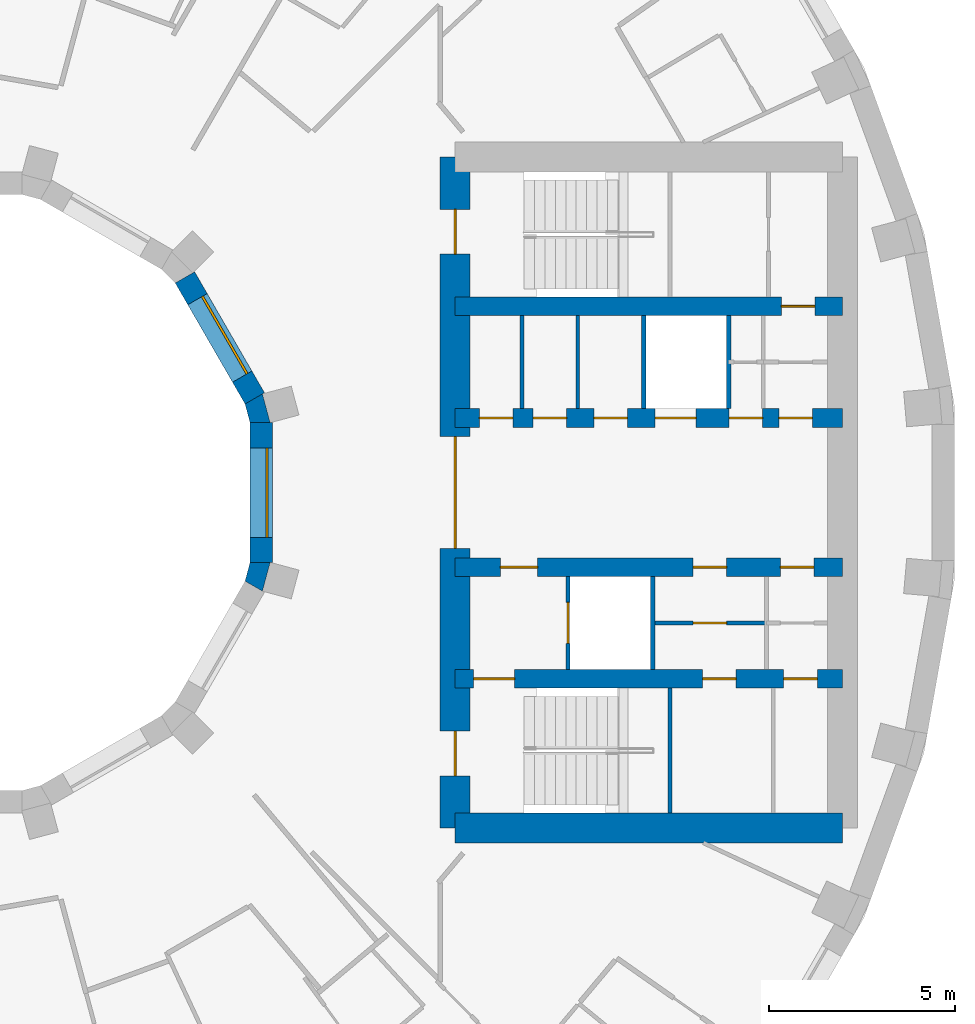
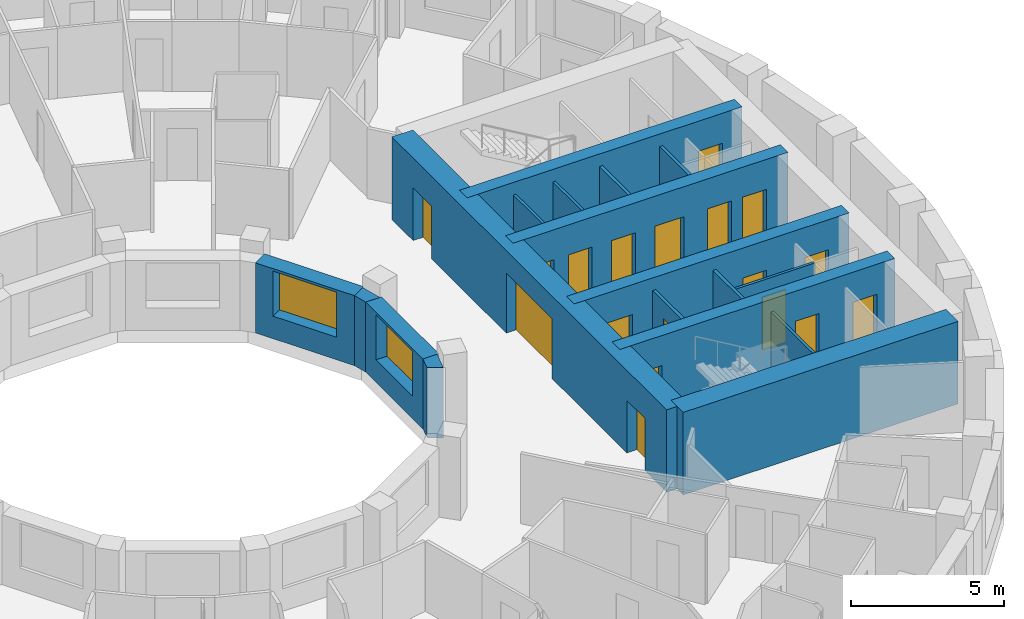
# One storey, part 9 of 16: 18 doors, 18 walls, 2 windows, 20 openings.
"""IFC4 building model written with IfcOpenShell, lengths in metres."""

import ifcopenshell
import ifcopenshell.guid

model = None  # the IFC model being written
_history = None  # IfcOwnerHistory: only IFC2X3 demands one
_inside = {}  # id of a spatial element -> (the spatial element, [elements in it])
_under = {}  # id of a project, library or spatial element -> (it, [spatial elements below it])
_declared = {}  # id of a project -> (the project, [libraries it declares])
_typed = {}  # id of a type object -> (the type object, [elements of that type])
_made_of = {}  # id of a material, layer set ... -> (it, [elements and type objects made of it])


def new_model(schema):
    """Start an empty IFC model of exactly this schema.

    Asked for "IFC4X3", IfcOpenShell would pick the latest addendum, in which some entities
    have other attributes; the version numbers below select the first issue.
    IFC2X3 requires an IfcOwnerHistory on every rooted entity: one is made here for all.
    """
    global model, _history
    if schema == "IFC4X3":
        model = ifcopenshell.file(schema_version=(4, 3, 0, 0))
    else:
        model = ifcopenshell.file(schema=schema)
    _inside.clear()
    _under.clear()
    _declared.clear()
    _typed.clear()
    _made_of.clear()
    _history = None
    if model.schema == "IFC2X3":
        org = make("IfcOrganization", Name="unknown")
        user = make(
            "IfcPersonAndOrganization",
            ThePerson=make("IfcPerson", FamilyName="unknown"),
            TheOrganization=org,
        )
        app = make(
            "IfcApplication",
            ApplicationDeveloper=org,
            Version="unknown",
            ApplicationFullName="unknown",
            ApplicationIdentifier="unknown",
        )
        _history = make(
            "IfcOwnerHistory",
            OwningUser=user,
            OwningApplication=app,
            ChangeAction="ADDED",
            CreationDate=0,
        )
    return model


def make(cls, **values):
    """One entity of the class cls with the attributes given. An attribute that is None is left unset."""
    return model.create_entity(
        cls, **{name: value for name, value in values.items() if value is not None}
    )


def rooted(cls, **values):
    """An entity with a GlobalId (a new one), such as an element, a storey or a relation."""
    return make(cls, GlobalId=ifcopenshell.guid.new(), OwnerHistory=_history, **values)


def si_unit(unit_type, name, prefix=None):
    """IfcSIUnit, for example si_unit("LENGTHUNIT", "METRE", prefix="MILLI")."""
    return make("IfcSIUnit", UnitType=unit_type, Prefix=prefix, Name=name)


def assignment(units):
    """IfcUnitAssignment: the units of a project."""
    return None if units is None else make("IfcUnitAssignment", Units=units)


def point(xyz):
    """IfcCartesianPoint."""
    return None if xyz is None else make("IfcCartesianPoint", Coordinates=xyz)


def direction(xyz):
    """IfcDirection."""
    return None if xyz is None else make("IfcDirection", DirectionRatios=xyz)


def frame(location, z_axis=None, x_axis=None):
    """IfcAxis2Placement3D, a coordinate frame: its origin and axes. An axis left out is left unset."""
    return make(
        "IfcAxis2Placement3D",
        Location=point(location),
        Axis=direction(z_axis),
        RefDirection=direction(x_axis),
    )


def frame_2d(location, x_axis=None):
    """IfcAxis2Placement2D, a coordinate frame in the plane: its origin and x axis."""
    return make(
        "IfcAxis2Placement2D", Location=point(location), RefDirection=direction(x_axis)
    )


def origin():
    """The frame at (0, 0, 0) with its axes left unset."""
    return frame((0.0, 0.0, 0.0))


def place(relative_to, where):
    """IfcLocalPlacement: puts the frame where relative to a parent placement (None: the world)."""
    return make(
        "IfcLocalPlacement", PlacementRelTo=relative_to, RelativePlacement=where
    )


def context(
    kind, dimensions, precision=None, world=None, true_north=None, identifier=None
):
    """IfcGeometricRepresentationContext, for example the 3D "Model" context."""
    return make(
        "IfcGeometricRepresentationContext",
        ContextIdentifier=identifier,
        ContextType=kind,
        CoordinateSpaceDimension=dimensions,
        Precision=precision,
        WorldCoordinateSystem=world,
        TrueNorth=true_north,
    )


def subcontext(parent, identifier, kind, view, scale=None):
    """IfcGeometricRepresentationSubContext, for example "Body" below "Model"."""
    return make(
        "IfcGeometricRepresentationSubContext",
        ContextIdentifier=identifier,
        ContextType=kind,
        ParentContext=parent,
        TargetScale=scale,
        TargetView=view,
    )


def project(units=None, contexts=None):
    """IfcProject with its units and contexts."""
    return rooted(
        "IfcProject",
        Name="project",
        RepresentationContexts=contexts,
        UnitsInContext=assignment(units),
    )


def spatial(cls, under=None, at=None, **own):
    """A site, building, storey or space (cls), placed at a placement, below another one or the project."""
    s = rooted(cls, ObjectPlacement=at, **own)
    if under is not None:
        _under.setdefault(under.id(), (under, []))[1].append(s)
    return s


def polyline(points):
    """IfcPolyline through the points."""
    return make("IfcPolyline", Points=[point(p) for p in points])


def profile(cls, at=None, kind="AREA", **sizes):
    """A parametric profile (cls). Its sizes go by their IFC names, for example OverallWidth=200.0."""
    return make(cls, ProfileType=kind, Position=at, **sizes)


def rectangle(**sizes):
    """IfcRectangleProfileDef."""
    return profile("IfcRectangleProfileDef", **sizes)


def outline(outer, holes=None, kind="AREA"):
    """IfcArbitraryClosedProfileDef: a profile drawn as a closed curve; with holes, ...WithVoids."""
    if holes is None:
        return make("IfcArbitraryClosedProfileDef", ProfileType=kind, OuterCurve=outer)
    return make(
        "IfcArbitraryProfileDefWithVoids",
        ProfileType=kind,
        OuterCurve=outer,
        InnerCurves=holes,
    )


def extrude(swept, where, along, depth):
    """IfcExtrudedAreaSolid: the profile swept, set in the frame where, extruded along a direction by depth."""
    return make(
        "IfcExtrudedAreaSolid",
        SweptArea=swept,
        Position=where,
        ExtrudedDirection=direction(along),
        Depth=depth,
    )


def shape(context_of_items, identifier, shape_type, items):
    """IfcShapeRepresentation: the items that make up one representation, for example the "Body"."""
    return make(
        "IfcShapeRepresentation",
        ContextOfItems=context_of_items,
        RepresentationIdentifier=identifier,
        RepresentationType=shape_type,
        Items=items,
    )


def material(Name=None, Category=None):
    """IfcMaterial."""
    return make("IfcMaterial", Name=Name, Category=Category)


def layer(
    of_material, thickness, ventilated=None, Name=None, Category=None, Priority=None
):
    """IfcMaterialLayer: one layer of a wall or slab, of a material (None: an air gap)."""
    return make(
        "IfcMaterialLayer",
        Material=of_material,
        LayerThickness=thickness,
        IsVentilated=ventilated,
        Name=Name,
        Category=Category,
        Priority=Priority,
    )


def layer_set(layers, Name=None):
    """IfcMaterialLayerSet."""
    return make("IfcMaterialLayerSet", MaterialLayers=layers, LayerSetName=Name)


def made_of(thing, what):
    """Note that an element or type object is made of a material, layer set ...; save() writes the relation."""
    if what is not None:
        _made_of.setdefault(what.id(), (what, []))[1].append(thing)
    return thing


def type_object(cls, material=None, **own):
    """A type object (cls), such as IfcWallType, which elements share."""
    return made_of(rooted(cls, **own), material)


def element(
    cls,
    number,
    at=None,
    inside=None,
    cuts=None,
    type_object=None,
    material=None,
    context=None,
    identifier="Body",
    shape_type=None,
    held_by="IfcProductDefinitionShape",
    body=None,
    shapes=None,
    **own,
):
    """One element of the class cls, such as IfcWall. Its Tag is "e" and its number.

    at: its placement. inside: the storey or other place that contains it. cuts: it is an
    opening in that element (IfcRelVoidsElement). A single representation is given by context,
    identifier, shape_type and body (its items); several are given by shapes. held_by: the class
    of the entity that holds the representations. save() writes the other relations.
    """
    e = rooted(cls, Tag="e%d" % number, ObjectPlacement=at, **own)
    if body is not None:
        shapes = [shape(context, identifier, shape_type, body)]
    if shapes is not None:
        e.Representation = make(held_by, Representations=shapes)
    if inside is not None:
        _inside.setdefault(inside.id(), (inside, []))[1].append(e)
    if cuts is not None:
        rooted(
            "IfcRelVoidsElement", RelatingBuildingElement=cuts, RelatedOpeningElement=e
        )
    if type_object is not None:
        _typed.setdefault(type_object.id(), (type_object, []))[1].append(e)
    return made_of(e, material)


def fill(opening, filler):
    """IfcRelFillsElement: the door or window that sits in an opening."""
    return rooted(
        "IfcRelFillsElement",
        RelatingOpeningElement=opening,
        RelatedBuildingElement=filler,
    )


def aggregate(whole, parts):
    """IfcRelAggregates: a whole, such as a stair, and the parts it consists of."""
    return rooted("IfcRelAggregates", RelatingObject=whole, RelatedObjects=parts)


def save(model, path):
    """Write the relations noted so far, then the file.

    IfcRelAggregates (storeys below a building ...), IfcRelContainedInSpatialStructure (elements
    in a storey), IfcRelDefinesByType, IfcRelAssociatesMaterial and IfcRelDeclares: one each for
    every whole, place, type object, material and project.
    """
    for whole, parts in _under.values():
        aggregate(whole, parts)
    for where, things in _inside.values():
        rooted(
            "IfcRelContainedInSpatialStructure",
            RelatedElements=things,
            RelatingStructure=where,
        )
    for kind, things in _typed.values():
        rooted("IfcRelDefinesByType", RelatedObjects=things, RelatingType=kind)
    for what, things in _made_of.values():
        rooted("IfcRelAssociatesMaterial", RelatedObjects=things, RelatingMaterial=what)
    for by, libraries in _declared.values():
        rooted("IfcRelDeclares", RelatingContext=by, RelatedDefinitions=libraries)
    model.write(path)


model = new_model("IFC4")

# Units and contexts
model_context = context("Model", 3, precision=1e-05, world=origin(), true_north=direction((0.0, 1.0)))
body_context = subcontext(model_context, "Body", "Model", "MODEL_VIEW")
ifc_project = project(units=[si_unit("LENGTHUNIT", "METRE"), si_unit("AREAUNIT", "SQUARE_METRE"), si_unit("VOLUMEUNIT", "CUBIC_METRE"), si_unit("PLANEANGLEUNIT", "RADIAN"), si_unit("MASSUNIT", "GRAM", prefix="KILO")], contexts=[model_context])

# Site, building, storey
site_placement = place(None, origin())
site = spatial("IfcSite", under=ifc_project, at=site_placement, CompositionType="ELEMENT")
building_placement = place(site_placement, origin())
building = spatial("IfcBuilding", under=site, at=building_placement, Name="Saqina Gate Tower", CompositionType="ELEMENT")
storey_placement = place(building_placement, frame((0.0, 0.0, 121.60009765625)))
storey = spatial("IfcBuildingStorey", under=building, at=storey_placement, Name="L34", CompositionType="ELEMENT", Elevation=121.60009765625)

# Walls
ifc_material_1 = material(Name="Gypsum board on steel studs", Category="steel")
ifc_layer_1 = layer(ifc_material_1, 0.10009765625)
ifc_layer_set_1 = layer_set([ifc_layer_1], Name="CORE PARTITION")
wall_type_1 = type_object("IfcWallType", Name="CORE PARTITION", PredefinedType="PARTITIONING", material=ifc_layer_set_1)
for number, where, z_axis, x_axis, name in (
    (1, (15.298095703125, 2.25, 0.0), (0.0, 0.0, 1.0), (0.0, 1.0, 0.0), "L34-CP-E01"),
    (2, (16.789306640625, 2.25, 0.0), (0.0, 0.0, 1.0), (0.0, 1.0, 0.0), "L34-CP-E02"),
):
    element("IfcWall", number, at=place(storey_placement, frame(where, z_axis=z_axis, x_axis=x_axis)), inside=storey, type_object=wall_type_1, Name=name, PredefinedType="PARTITIONING", context=body_context, shape_type="SweptSolid", body=[
        extrude(rectangle(XDim=2.5, YDim=0.10009765625, at=frame_2d((1.25, 0.0))), origin(), (0.0, 0.0, 1.0), 2.7998046875),
    ])

# Wall, opening, door
wall_1_placement = place(storey_placement, frame((18.81005859375, -3.5, 0.0), z_axis=(0.0, 0.0, 1.0), x_axis=(1.0, 0.0, 0.0)))
wall_1 = element("IfcWall", 3, at=wall_1_placement, inside=storey, type_object=wall_type_1, Name="L34-CP-E11", PredefinedType="PARTITIONING", context=body_context, shape_type="SweptSolid", body=[
    extrude(rectangle(XDim=3.04833984375, YDim=0.10009765625, at=frame_2d((1.524169921875, 0.0))), origin(), (0.0, 0.0, 1.0), 2.7998046875),
])
opening_1_placement = place(wall_1_placement, frame((1.07421875, 0.0, 0.0)))
opening_1 = element("IfcOpeningElement", 4, at=opening_1_placement, cuts=wall_1, Name="Opening G10-D103", PredefinedType="OPENING", context=body_context, shape_type="SweptSolid", body=[
    extrude(rectangle(XDim=0.89990234375, YDim=2.10009765625, at=frame_2d((0.449951171875, 1.050048828125))), frame((0.0, 0.06201171875, 0.0), z_axis=(0.0, -1.0, 0.0), x_axis=(1.0, 0.0, 0.0)), (0.0, 0.0, 1.0), 0.1240234375),
])
ifc_material_2 = material(Name="Steel-framed fire door leaf, EI 60", Category="steel")
door_type_1 = type_object("IfcDoorType", Name="SERVICE ROOM DOOR 900", OperationType="SINGLE_SWING_LEFT", PredefinedType="DOOR", material=ifc_material_2)
door_1_placement = place(opening_1_placement, frame((0.89990234375, 0.0, 0.0), z_axis=(0.0, 0.0, 1.0), x_axis=(-1.0, 0.0, 0.0)))
door_1 = element("IfcDoor", 5, at=door_1_placement, inside=storey, type_object=door_type_1, Name="L34-CD-E14", OperationType="SINGLE_SWING_RIGHT", OverallHeight=2.10009765625, OverallWidth=0.89990234375, PredefinedType="DOOR", context=body_context, shape_type="SweptSolid", body=[
    extrude(rectangle(XDim=0.89990234375, YDim=2.10009765625, at=frame_2d((0.449951171875, 1.050048828125))), frame((0.0, 0.02490234375, 0.0), z_axis=(0.0, -1.0, 0.0), x_axis=(1.0, 0.0, 0.0)), (0.0, 0.0, 1.0), 0.050048828125),
])
fill(opening_1, door_1)

# Wall, opening, window
ifc_material_3 = material(Name="Glazed ceramic tile", Category="ceramic")
ifc_layer_2 = layer(ifc_material_3, 0.60009765625)
ifc_layer_set_2 = layer_set([ifc_layer_2], Name="IW-TILE")
wall_type_2 = type_object("IfcWallType", Name="IW-TILE", PredefinedType="SOLIDWALL", material=ifc_layer_set_2)
wall_2_placement = place(storey_placement, frame((8.124755859375, 2.52734375, 0.0), z_axis=(0.0, 0.0, 1.0), x_axis=(-0.499964958637, 0.86604563398, 0.0)))
wall_2 = element("IfcWall", 6, at=wall_2_placement, inside=storey, type_object=wall_type_2, Name="Well wall L34 facet 1", PredefinedType="SOLIDWALL", context=body_context, shape_type="SweptSolid", body=[
    extrude(rectangle(XDim=3.747314453125, YDim=0.60009765625, at=frame_2d((1.87353515625, 0.0))), origin(), (0.0, 0.0, 1.0), 2.7998046875),
])
opening_2_placement = place(wall_2_placement, frame((0.673583984375, 0.0, 0.89990234375)))
opening_2 = element("IfcOpeningElement", 7, at=opening_2_placement, cuts=wall_2, Name="Opening G10-W23", PredefinedType="OPENING", context=body_context, shape_type="SweptSolid", body=[
    extrude(rectangle(XDim=2.39990234375, YDim=1.800048828125, at=frame_2d((1.199951171875, 0.89990234375))), frame((0.0, 0.31201171875, 0.0), z_axis=(0.0, -1.0, 0.0), x_axis=(1.0, 0.0, 0.0)), (0.0, 0.0, 1.0), 0.6240234375),
])
ifc_material_4 = material(Name="Aluminium glazing", Category="aluminium")
window_type = type_object("IfcWindowType", Name="WN-W", PartitioningType="SINGLE_PANEL", PredefinedType="WINDOW", material=ifc_material_4)
window_1_placement = place(opening_2_placement, origin())
window_1 = element("IfcWindow", 8, at=window_1_placement, inside=storey, type_object=window_type, Name="Well window L34 facet 1", OverallHeight=1.800048828125, OverallWidth=2.39990234375, PartitioningType="SINGLE_PANEL", PredefinedType="WINDOW", context=body_context, shape_type="SweptSolid", body=[
    extrude(rectangle(XDim=2.39990234375, YDim=1.800048828125, at=frame_2d((1.199951171875, 0.89990234375))), frame((0.0, -0.119873046875, 0.0), z_axis=(0.0, -1.0, 0.0), x_axis=(1.0, 0.0, 0.0)), (0.0, 0.0, 1.0), 0.06005859375),
])
fill(opening_2, window_1)

wall_3_placement = place(storey_placement, frame((8.300048828125, -1.873779296875, 0.0), z_axis=(0.0, 0.0, 1.0), x_axis=(0.0, 1.0, 0.0)))
wall_3 = element("IfcWall", 9, at=wall_3_placement, inside=storey, type_object=wall_type_2, Name="Well wall L34 facet 12", PredefinedType="SOLIDWALL", context=body_context, shape_type="SweptSolid", body=[
    extrude(rectangle(XDim=3.74755859375, YDim=0.60009765625, at=frame_2d((1.873779296875, 0.0))), origin(), (0.0, 0.0, 1.0), 2.7998046875),
])
opening_3_placement = place(wall_3_placement, frame((0.673583984375, 0.0, 0.89990234375)))
opening_3 = element("IfcOpeningElement", 10, at=opening_3_placement, cuts=wall_3, Name="Opening G10-W34", PredefinedType="OPENING", context=body_context, shape_type="SweptSolid", body=[
    extrude(rectangle(XDim=2.39990234375, YDim=1.800048828125, at=frame_2d((1.199951171875, 0.89990234375))), frame((0.0, 0.31201171875, 0.0), z_axis=(0.0, -1.0, 0.0), x_axis=(1.0, 0.0, 0.0)), (0.0, 0.0, 1.0), 0.6240234375),
])
window_2_placement = place(opening_3_placement, origin())
window_2 = element("IfcWindow", 11, at=window_2_placement, inside=storey, type_object=window_type, Name="Well window L34 facet 12", OverallHeight=1.800048828125, OverallWidth=2.39990234375, PartitioningType="SINGLE_PANEL", PredefinedType="WINDOW", context=body_context, shape_type="SweptSolid", body=[
    extrude(rectangle(XDim=2.39990234375, YDim=1.800048828125, at=frame_2d((1.199951171875, 0.89990234375))), frame((0.0, -0.119873046875, 0.0), z_axis=(0.0, -1.0, 0.0), x_axis=(1.0, 0.0, 0.0)), (0.0, 0.0, 1.0), 0.06005859375),
])
fill(opening_3, window_2)

# Walls
ifc_material_5 = material(Name="Autoclaved aerated concrete block", Category="concrete")
ifc_layer_3 = layer(ifc_material_5, 0.1201171875)
ifc_layer_set_3 = layer_set([ifc_layer_3], Name="SHAFT PARTITION")
wall_type_3 = type_object("IfcWallType", Name="SHAFT PARTITION", PredefinedType="PARTITIONING", material=ifc_layer_set_3)
for number, where, z_axis, x_axis, name in (
    (12, (18.56005859375, 2.25, 0.0), (0.0, 0.0, 1.0), (0.0, 1.0, 0.0), "L34-CP-E03"),
    (13, (20.840087890625, 2.25, 0.0), (0.0, 0.0, 1.0), (0.0, 1.0, 0.0), "L34-CP-E04"),
):
    element("IfcWall", number, at=place(storey_placement, frame(where, z_axis=z_axis, x_axis=x_axis)), inside=storey, type_object=wall_type_3, Name=name, PredefinedType="PARTITIONING", context=body_context, shape_type="SweptSolid", body=[
        extrude(rectangle(XDim=2.5, YDim=0.1201171875, at=frame_2d((1.25, 0.0))), origin(), (0.0, 0.0, 1.0), 2.7998046875),
    ])

# Wall, opening, door
wall_4_placement = place(storey_placement, frame((16.530029296875, -4.75, 0.0), z_axis=(0.0, 0.0, 1.0), x_axis=(0.0, 1.0, 0.0)))
wall_4 = element("IfcWall", 14, at=wall_4_placement, inside=storey, type_object=wall_type_3, Name="L34-CP-E06", PredefinedType="PARTITIONING", context=body_context, shape_type="SweptSolid", body=[
    extrude(rectangle(XDim=2.5, YDim=0.1201171875, at=frame_2d((1.25, 0.0))), origin(), (0.0, 0.0, 1.0), 2.7998046875),
])
opening_4_placement = place(wall_4_placement, frame((0.699951171875, 0.0, 0.0)))
opening_4 = element("IfcOpeningElement", 15, at=opening_4_placement, cuts=wall_4, Name="Opening G10-LD2", PredefinedType="OPENING", context=body_context, shape_type="SweptSolid", body=[
    extrude(rectangle(XDim=1.10009765625, YDim=2.10009765625, at=frame_2d((0.550048828125, 1.050048828125))), frame((0.0, 0.072021484375, 0.0), z_axis=(0.0, -1.0, 0.0), x_axis=(1.0, 0.0, 0.0)), (0.0, 0.0, 1.0), 0.14404296875),
])
ifc_material_6 = material(Name="Stainless steel", Category="steel")
door_type_2 = type_object("IfcDoorType", Name="LANDING DOOR", OperationType="DOUBLE_DOOR_SLIDING", PredefinedType="DOOR", material=ifc_material_6)
door_2_placement = place(opening_4_placement, origin())
door_2 = element("IfcDoor", 16, at=door_2_placement, inside=storey, type_object=door_type_2, Name="LANDING DOOR FF1", OperationType="DOUBLE_DOOR_SLIDING", OverallHeight=2.10009765625, OverallWidth=1.10009765625, PredefinedType="DOOR", context=body_context, shape_type="SweptSolid", body=[
    extrude(rectangle(XDim=1.10009765625, YDim=2.10009765625, at=frame_2d((0.550048828125, 1.050048828125))), frame((0.0, 0.02490234375, 0.0), z_axis=(0.0, -1.0, 0.0), x_axis=(1.0, 0.0, 0.0)), (0.0, 0.0, 1.0), 0.050048828125),
])
fill(opening_4, door_2)

# Walls
wall_5_placement = place(storey_placement, frame((18.81005859375, -4.75, 0.0), z_axis=(0.0, 0.0, 1.0), x_axis=(0.0, 1.0, 0.0)))
element("IfcWall", 17, at=wall_5_placement, inside=storey, type_object=wall_type_3, Name="L34-CP-E07", PredefinedType="PARTITIONING", context=body_context, shape_type="SweptSolid", body=[
    extrude(rectangle(XDim=2.5, YDim=0.1201171875, at=frame_2d((1.25, 0.0))), origin(), (0.0, 0.0, 1.0), 2.7998046875),
])
ifc_material_7 = material(Name="Autoclaved aerated concrete block", Category="concrete")
ifc_layer_4 = layer(ifc_material_7, 0.10009765625)
ifc_layer_set_4 = layer_set([ifc_layer_4], Name="STAIR ENCLOSURE WALL")
wall_type_4 = type_object("IfcWallType", Name="STAIR ENCLOSURE WALL", PredefinedType="PARTITIONING", material=ifc_layer_set_4)
wall_6_placement = place(storey_placement, frame((19.27001953125, -8.60009765625, 0.0), z_axis=(0.0, 0.0, 1.0), x_axis=(0.0, 1.0, 0.0)))
element("IfcWall", 18, at=wall_6_placement, inside=storey, type_object=wall_type_4, Name="L34-CP-E15", PredefinedType="PARTITIONING", context=body_context, shape_type="SweptSolid", body=[
    extrude(rectangle(XDim=3.35009765625, YDim=0.10009765625, at=frame_2d((1.675048828125, 0.0))), origin(), (0.0, 0.0, 1.0), 2.7998046875),
])

# Wall, opening, door
ifc_material_8 = material(Name="Concrete C70/85", Category="concrete")
ifc_layer_5 = layer(ifc_material_8, 0.5)
ifc_layer_set_5 = layer_set([ifc_layer_5], Name="Concrete C70/85")
wall_type_5 = type_object("IfcWallType", Name="STR-CORE WALL-B-I", PredefinedType="SHEAR", material=ifc_layer_set_5)
wall_7_placement = place(storey_placement, frame((13.5, 5.0, 0.0), z_axis=(0.0, 0.0, 1.0), x_axis=(1.0, 0.0, 0.0)))
wall_7 = element("IfcWall", 19, at=wall_7_placement, inside=storey, type_object=wall_type_5, Name="CORE WALL L34 E-X1", PredefinedType="SHEAR", context=body_context, shape_type="SweptSolid", body=[
    extrude(rectangle(XDim=10.39990234375, YDim=0.5, at=frame_2d((5.199951171875, 0.0))), origin(), (0.0, 0.0, 1.0), 3.2998046875),
])
opening_5_placement = place(wall_7_placement, frame((8.755859375, 0.0, 0.0)))
opening_5 = element("IfcOpeningElement", 20, at=opening_5_placement, cuts=wall_7, Name="Opening G10-D101", PredefinedType="OPENING", context=body_context, shape_type="SweptSolid", body=[
    extrude(rectangle(XDim=0.89990234375, YDim=2.10009765625, at=frame_2d((0.449951171875, 1.050048828125))), frame((0.0, 0.261962890625, 0.0), z_axis=(0.0, -1.0, 0.0), x_axis=(1.0, 0.0, 0.0)), (0.0, 0.0, 1.0), 0.52392578125),
])
door_3_placement = place(opening_5_placement, origin())
door_3 = element("IfcDoor", 21, at=door_3_placement, inside=storey, type_object=door_type_1, Name="L34-CD-E12", OperationType="SINGLE_SWING_RIGHT", OverallHeight=2.10009765625, OverallWidth=0.89990234375, PredefinedType="DOOR", context=body_context, shape_type="SweptSolid", body=[
    extrude(rectangle(XDim=0.89990234375, YDim=2.10009765625, at=frame_2d((0.449951171875, 1.050048828125))), frame((0.0, 0.02490234375, 0.0), z_axis=(0.0, -1.0, 0.0), x_axis=(1.0, 0.0, 0.0)), (0.0, 0.0, 1.0), 0.050048828125),
])
fill(opening_5, door_3)

# Wall, openings, doors
wall_8_placement = place(storey_placement, frame((13.5, -5.0, 0.0), z_axis=(0.0, 0.0, 1.0), x_axis=(1.0, 0.0, 0.0)))
wall_8 = element("IfcWall", 22, at=wall_8_placement, inside=storey, type_object=wall_type_5, Name="CORE WALL L34 E-X2", PredefinedType="SHEAR", context=body_context, shape_type="SweptSolid", body=[
    extrude(rectangle(XDim=10.39990234375, YDim=0.5, at=frame_2d((5.199951171875, 0.0))), origin(), (0.0, 0.0, 1.0), 3.2998046875),
])
opening_6_placement = place(wall_8_placement, frame((6.63916015625, 0.0, 0.0)))
opening_6 = element("IfcOpeningElement", 23, at=opening_6_placement, cuts=wall_8, Name="Opening G10-D104", PredefinedType="OPENING", context=body_context, shape_type="SweptSolid", body=[
    extrude(rectangle(XDim=0.89990234375, YDim=2.10009765625, at=frame_2d((0.449951171875, 1.050048828125))), frame((0.0, 0.261962890625, 0.0), z_axis=(0.0, -1.0, 0.0), x_axis=(1.0, 0.0, 0.0)), (0.0, 0.0, 1.0), 0.52392578125),
])
opening_7_placement = place(wall_8_placement, frame((8.818603515625, 0.0, 0.0)))
opening_7 = element("IfcOpeningElement", 24, at=opening_7_placement, cuts=wall_8, Name="Opening G10-D105", PredefinedType="OPENING", context=body_context, shape_type="SweptSolid", body=[
    extrude(rectangle(XDim=0.89990234375, YDim=2.10009765625, at=frame_2d((0.449951171875, 1.050048828125))), frame((0.0, 0.261962890625, 0.0), z_axis=(0.0, -1.0, 0.0), x_axis=(1.0, 0.0, 0.0)), (0.0, 0.0, 1.0), 0.52392578125),
])
opening_8_placement = place(wall_8_placement, frame((0.5, 0.0, 0.0)))
opening_8 = element("IfcOpeningElement", 25, at=opening_8_placement, cuts=wall_8, Name="Opening G10-D106", PredefinedType="OPENING", context=body_context, shape_type="SweptSolid", body=[
    extrude(rectangle(XDim=1.10009765625, YDim=2.10009765625, at=frame_2d((0.550048828125, 1.050048828125))), frame((0.0, 0.261962890625, 0.0), z_axis=(0.0, -1.0, 0.0), x_axis=(1.0, 0.0, 0.0)), (0.0, 0.0, 1.0), 0.52392578125),
])
ifc_material_9 = material(Name="Steel", Category="steel")
door_type_3 = type_object("IfcDoorType", Name="FIRE LOBBY DOOR EI 60 WIDE", OperationType="SINGLE_SWING_LEFT", PredefinedType="DOOR", material=ifc_material_9)
door_4_placement = place(opening_8_placement, frame((1.10009765625, 0.0, 0.0), z_axis=(0.0, 0.0, 1.0), x_axis=(-1.0, 0.0, 0.0)))
door_4 = element("IfcDoor", 26, at=door_4_placement, inside=storey, type_object=door_type_3, Name="L34-CD-E17", OperationType="SINGLE_SWING_RIGHT", OverallHeight=2.10009765625, OverallWidth=1.10009765625, PredefinedType="DOOR", context=body_context, shape_type="SweptSolid", body=[
    extrude(rectangle(XDim=1.10009765625, YDim=2.10009765625, at=frame_2d((0.550048828125, 1.050048828125))), frame((0.0, 0.02490234375, 0.0), z_axis=(0.0, -1.0, 0.0), x_axis=(1.0, 0.0, 0.0)), (0.0, 0.0, 1.0), 0.050048828125),
])
fill(opening_8, door_4)
door_5_placement = place(opening_6_placement, frame((0.89990234375, 0.0, 0.0), z_axis=(0.0, 0.0, 1.0), x_axis=(-1.0, 0.0, 0.0)))
door_5 = element("IfcDoor", 27, at=door_5_placement, inside=storey, type_object=door_type_1, Name="L34-CD-E15", OperationType="SINGLE_SWING_LEFT", OverallHeight=2.10009765625, OverallWidth=0.89990234375, PredefinedType="DOOR", context=body_context, shape_type="SweptSolid", body=[
    extrude(rectangle(XDim=0.89990234375, YDim=2.10009765625, at=frame_2d((0.449951171875, 1.050048828125))), frame((0.0, 0.02490234375, 0.0), z_axis=(0.0, -1.0, 0.0), x_axis=(1.0, 0.0, 0.0)), (0.0, 0.0, 1.0), 0.050048828125),
])
fill(opening_6, door_5)
door_6_placement = place(opening_7_placement, frame((0.89990234375, 0.0, 0.0), z_axis=(0.0, 0.0, 1.0), x_axis=(-1.0, 0.0, 0.0)))
door_6 = element("IfcDoor", 28, at=door_6_placement, inside=storey, type_object=door_type_1, Name="L34-CD-E16", OperationType="SINGLE_SWING_LEFT", OverallHeight=2.10009765625, OverallWidth=0.89990234375, PredefinedType="DOOR", context=body_context, shape_type="SweptSolid", body=[
    extrude(rectangle(XDim=0.89990234375, YDim=2.10009765625, at=frame_2d((0.449951171875, 1.050048828125))), frame((0.0, 0.02490234375, 0.0), z_axis=(0.0, -1.0, 0.0), x_axis=(1.0, 0.0, 0.0)), (0.0, 0.0, 1.0), 0.050048828125),
])
fill(opening_7, door_6)

wall_9_placement = place(storey_placement, frame((13.5, 2.0, 0.0), z_axis=(0.0, 0.0, 1.0), x_axis=(1.0, 0.0, 0.0)))
wall_9 = element("IfcWall", 29, at=wall_9_placement, inside=storey, type_object=wall_type_5, Name="CORE WALL L34 E-L1", PredefinedType="SHEAR", context=body_context, shape_type="SweptSolid", body=[
    extrude(rectangle(XDim=10.39990234375, YDim=0.5, at=frame_2d((5.199951171875, 0.0))), origin(), (0.0, 0.0, 1.0), 3.2998046875),
])
opening_9_placement = place(wall_9_placement, frame((5.3701171875, 0.0, 0.0)))
opening_9 = element("IfcOpeningElement", 30, at=opening_9_placement, cuts=wall_9, Name="Opening G10-LD1", PredefinedType="OPENING", context=body_context, shape_type="SweptSolid", body=[
    extrude(rectangle(XDim=1.10009765625, YDim=2.10009765625, at=frame_2d((0.550048828125, 1.050048828125))), frame((0.0, 0.261962890625, 0.0), z_axis=(0.0, -1.0, 0.0), x_axis=(1.0, 0.0, 0.0)), (0.0, 0.0, 1.0), 0.52392578125),
])
opening_10_placement = place(wall_9_placement, frame((0.64892578125, 0.0, 0.0)))
opening_10 = element("IfcOpeningElement", 31, at=opening_10_placement, cuts=wall_9, Name="Opening G10-D90", PredefinedType="OPENING", context=body_context, shape_type="SweptSolid", body=[
    extrude(rectangle(XDim=0.89990234375, YDim=2.10009765625, at=frame_2d((0.449951171875, 1.050048828125))), frame((0.0, 0.261962890625, 0.0), z_axis=(0.0, -1.0, 0.0), x_axis=(1.0, 0.0, 0.0)), (0.0, 0.0, 1.0), 0.52392578125),
])
opening_11_placement = place(wall_9_placement, frame((2.093505859375, 0.0, 0.0)))
opening_11 = element("IfcOpeningElement", 32, at=opening_11_placement, cuts=wall_9, Name="Opening G10-D91", PredefinedType="OPENING", context=body_context, shape_type="SweptSolid", body=[
    extrude(rectangle(XDim=0.89990234375, YDim=2.10009765625, at=frame_2d((0.449951171875, 1.050048828125))), frame((0.0, 0.261962890625, 0.0), z_axis=(0.0, -1.0, 0.0), x_axis=(1.0, 0.0, 0.0)), (0.0, 0.0, 1.0), 0.52392578125),
])
opening_12_placement = place(wall_9_placement, frame((3.724609375, 0.0, 0.0)))
opening_12 = element("IfcOpeningElement", 33, at=opening_12_placement, cuts=wall_9, Name="Opening G10-D92", PredefinedType="OPENING", context=body_context, shape_type="SweptSolid", body=[
    extrude(rectangle(XDim=0.89990234375, YDim=2.10009765625, at=frame_2d((0.449951171875, 1.050048828125))), frame((0.0, 0.261962890625, 0.0), z_axis=(0.0, -1.0, 0.0), x_axis=(1.0, 0.0, 0.0)), (0.0, 0.0, 1.0), 0.52392578125),
])
opening_13_placement = place(wall_9_placement, frame((7.35546875, 0.0, 0.0)))
opening_13 = element("IfcOpeningElement", 34, at=opening_13_placement, cuts=wall_9, Name="Opening G10-D93", PredefinedType="OPENING", context=body_context, shape_type="SweptSolid", body=[
    extrude(rectangle(XDim=0.89990234375, YDim=2.10009765625, at=frame_2d((0.449951171875, 1.050048828125))), frame((0.0, 0.261962890625, 0.0), z_axis=(0.0, -1.0, 0.0), x_axis=(1.0, 0.0, 0.0)), (0.0, 0.0, 1.0), 0.52392578125),
])
opening_14_placement = place(wall_9_placement, frame((8.685546875, 0.0, 0.0)))
opening_14 = element("IfcOpeningElement", 35, at=opening_14_placement, cuts=wall_9, Name="Opening G10-D94", PredefinedType="OPENING", context=body_context, shape_type="SweptSolid", body=[
    extrude(rectangle(XDim=0.89990234375, YDim=2.10009765625, at=frame_2d((0.449951171875, 1.050048828125))), frame((0.0, 0.261962890625, 0.0), z_axis=(0.0, -1.0, 0.0), x_axis=(1.0, 0.0, 0.0)), (0.0, 0.0, 1.0), 0.52392578125),
])
door_7_placement = place(opening_9_placement, origin())
door_7 = element("IfcDoor", 36, at=door_7_placement, inside=storey, type_object=door_type_2, Name="LANDING DOOR MR1", OperationType="DOUBLE_DOOR_SLIDING", OverallHeight=2.10009765625, OverallWidth=1.10009765625, PredefinedType="DOOR", context=body_context, shape_type="SweptSolid", body=[
    extrude(rectangle(XDim=1.10009765625, YDim=2.10009765625, at=frame_2d((0.550048828125, 1.050048828125))), frame((0.0, 0.02490234375, 0.0), z_axis=(0.0, -1.0, 0.0), x_axis=(1.0, 0.0, 0.0)), (0.0, 0.0, 1.0), 0.050048828125),
])
fill(opening_9, door_7)
door_8_placement = place(opening_10_placement, origin())
door_8 = element("IfcDoor", 37, at=door_8_placement, inside=storey, type_object=door_type_1, Name="L34-CD-E01", OperationType="SINGLE_SWING_LEFT", OverallHeight=2.10009765625, OverallWidth=0.89990234375, PredefinedType="DOOR", context=body_context, shape_type="SweptSolid", body=[
    extrude(rectangle(XDim=0.89990234375, YDim=2.10009765625, at=frame_2d((0.449951171875, 1.050048828125))), frame((0.0, 0.02490234375, 0.0), z_axis=(0.0, -1.0, 0.0), x_axis=(1.0, 0.0, 0.0)), (0.0, 0.0, 1.0), 0.050048828125),
])
fill(opening_10, door_8)
door_9_placement = place(opening_11_placement, origin())
door_9 = element("IfcDoor", 38, at=door_9_placement, inside=storey, type_object=door_type_1, Name="L34-CD-E02", OperationType="SINGLE_SWING_LEFT", OverallHeight=2.10009765625, OverallWidth=0.89990234375, PredefinedType="DOOR", context=body_context, shape_type="SweptSolid", body=[
    extrude(rectangle(XDim=0.89990234375, YDim=2.10009765625, at=frame_2d((0.449951171875, 1.050048828125))), frame((0.0, 0.02490234375, 0.0), z_axis=(0.0, -1.0, 0.0), x_axis=(1.0, 0.0, 0.0)), (0.0, 0.0, 1.0), 0.050048828125),
])
fill(opening_11, door_9)
door_10_placement = place(opening_12_placement, origin())
door_10 = element("IfcDoor", 39, at=door_10_placement, inside=storey, type_object=door_type_1, Name="L34-CD-E03", OperationType="SINGLE_SWING_RIGHT", OverallHeight=2.10009765625, OverallWidth=0.89990234375, PredefinedType="DOOR", context=body_context, shape_type="SweptSolid", body=[
    extrude(rectangle(XDim=0.89990234375, YDim=2.10009765625, at=frame_2d((0.449951171875, 1.050048828125))), frame((0.0, 0.02490234375, 0.0), z_axis=(0.0, -1.0, 0.0), x_axis=(1.0, 0.0, 0.0)), (0.0, 0.0, 1.0), 0.050048828125),
])
fill(opening_12, door_10)
door_11_placement = place(opening_13_placement, origin())
door_11 = element("IfcDoor", 40, at=door_11_placement, inside=storey, type_object=door_type_1, Name="L34-CD-E04", OperationType="SINGLE_SWING_LEFT", OverallHeight=2.10009765625, OverallWidth=0.89990234375, PredefinedType="DOOR", context=body_context, shape_type="SweptSolid", body=[
    extrude(rectangle(XDim=0.89990234375, YDim=2.10009765625, at=frame_2d((0.449951171875, 1.050048828125))), frame((0.0, 0.02490234375, 0.0), z_axis=(0.0, -1.0, 0.0), x_axis=(1.0, 0.0, 0.0)), (0.0, 0.0, 1.0), 0.050048828125),
])
fill(opening_13, door_11)
door_12_placement = place(opening_14_placement, origin())
door_12 = element("IfcDoor", 41, at=door_12_placement, inside=storey, type_object=door_type_1, Name="L34-CD-E05", OperationType="SINGLE_SWING_RIGHT", OverallHeight=2.10009765625, OverallWidth=0.89990234375, PredefinedType="DOOR", context=body_context, shape_type="SweptSolid", body=[
    extrude(rectangle(XDim=0.89990234375, YDim=2.10009765625, at=frame_2d((0.449951171875, 1.050048828125))), frame((0.0, 0.02490234375, 0.0), z_axis=(0.0, -1.0, 0.0), x_axis=(1.0, 0.0, 0.0)), (0.0, 0.0, 1.0), 0.050048828125),
])
fill(opening_14, door_12)

wall_10_placement = place(storey_placement, frame((13.5, -2.0, 0.0), z_axis=(0.0, 0.0, 1.0), x_axis=(1.0, 0.0, 0.0)))
wall_10 = element("IfcWall", 42, at=wall_10_placement, inside=storey, type_object=wall_type_5, Name="CORE WALL L34 E-L2", PredefinedType="SHEAR", context=body_context, shape_type="SweptSolid", body=[
    extrude(rectangle(XDim=10.39990234375, YDim=0.5, at=frame_2d((5.199951171875, 0.0))), origin(), (0.0, 0.0, 1.0), 3.2998046875),
])
opening_15_placement = place(wall_10_placement, frame((1.215087890625, 0.0, 0.0)))
opening_15 = element("IfcOpeningElement", 43, at=opening_15_placement, cuts=wall_10, Name="Opening G10-D95", PredefinedType="OPENING", context=body_context, shape_type="SweptSolid", body=[
    extrude(rectangle(XDim=1.0, YDim=2.10009765625, at=frame_2d((0.5, 1.050048828125))), frame((0.0, 0.261962890625, 0.0), z_axis=(0.0, -1.0, 0.0), x_axis=(1.0, 0.0, 0.0)), (0.0, 0.0, 1.0), 0.52392578125),
])
opening_16_placement = place(wall_10_placement, frame((6.38427734375, 0.0, 0.0)))
opening_16 = element("IfcOpeningElement", 44, at=opening_16_placement, cuts=wall_10, Name="Opening G10-D96", PredefinedType="OPENING", context=body_context, shape_type="SweptSolid", body=[
    extrude(rectangle(XDim=0.89990234375, YDim=2.10009765625, at=frame_2d((0.449951171875, 1.050048828125))), frame((0.0, 0.261962890625, 0.0), z_axis=(0.0, -1.0, 0.0), x_axis=(1.0, 0.0, 0.0)), (0.0, 0.0, 1.0), 0.52392578125),
])
opening_17_placement = place(wall_10_placement, frame((8.729248046875, 0.0, 0.0)))
opening_17 = element("IfcOpeningElement", 45, at=opening_17_placement, cuts=wall_10, Name="Opening G10-D97", PredefinedType="OPENING", context=body_context, shape_type="SweptSolid", body=[
    extrude(rectangle(XDim=0.89990234375, YDim=2.10009765625, at=frame_2d((0.449951171875, 1.050048828125))), frame((0.0, 0.261962890625, 0.0), z_axis=(0.0, -1.0, 0.0), x_axis=(1.0, 0.0, 0.0)), (0.0, 0.0, 1.0), 0.52392578125),
])
ifc_material_10 = material(Name="Steel", Category="steel")
door_type_4 = type_object("IfcDoorType", Name="FIRE LOBBY DOOR EI 60", OperationType="SINGLE_SWING_LEFT", PredefinedType="DOOR", material=ifc_material_10)
door_13_placement = place(opening_15_placement, origin())
door_13 = element("IfcDoor", 46, at=door_13_placement, inside=storey, type_object=door_type_4, Name="L34-CD-E06", OperationType="SINGLE_SWING_LEFT", OverallHeight=2.10009765625, OverallWidth=1.0, PredefinedType="DOOR", context=body_context, shape_type="SweptSolid", body=[
    extrude(rectangle(XDim=1.0, YDim=2.10009765625, at=frame_2d((0.5, 1.050048828125))), frame((0.0, 0.02490234375, 0.0), z_axis=(0.0, -1.0, 0.0), x_axis=(1.0, 0.0, 0.0)), (0.0, 0.0, 1.0), 0.050048828125),
])
fill(opening_15, door_13)
door_14_placement = place(opening_16_placement, frame((0.89990234375, 0.0, 0.0), z_axis=(0.0, 0.0, 1.0), x_axis=(-1.0, 0.0, 0.0)))
door_14 = element("IfcDoor", 47, at=door_14_placement, inside=storey, type_object=door_type_1, Name="L34-CD-E07", OperationType="SINGLE_SWING_LEFT", OverallHeight=2.10009765625, OverallWidth=0.89990234375, PredefinedType="DOOR", context=body_context, shape_type="SweptSolid", body=[
    extrude(rectangle(XDim=0.89990234375, YDim=2.10009765625, at=frame_2d((0.449951171875, 1.050048828125))), frame((0.0, 0.02490234375, 0.0), z_axis=(0.0, -1.0, 0.0), x_axis=(1.0, 0.0, 0.0)), (0.0, 0.0, 1.0), 0.050048828125),
])
fill(opening_16, door_14)
door_15_placement = place(opening_17_placement, frame((0.89990234375, 0.0, 0.0), z_axis=(0.0, 0.0, 1.0), x_axis=(-1.0, 0.0, 0.0)))
door_15 = element("IfcDoor", 48, at=door_15_placement, inside=storey, type_object=door_type_1, Name="L34-CD-E08", OperationType="SINGLE_SWING_LEFT", OverallHeight=2.10009765625, OverallWidth=0.89990234375, PredefinedType="DOOR", context=body_context, shape_type="SweptSolid", body=[
    extrude(rectangle(XDim=0.89990234375, YDim=2.10009765625, at=frame_2d((0.449951171875, 1.050048828125))), frame((0.0, 0.02490234375, 0.0), z_axis=(0.0, -1.0, 0.0), x_axis=(1.0, 0.0, 0.0)), (0.0, 0.0, 1.0), 0.050048828125),
])
fill(opening_17, door_15)

ifc_material_11 = material(Name="Concrete C70/85", Category="concrete")
ifc_layer_6 = layer(ifc_material_11, 0.800048828125)
ifc_layer_set_6 = layer_set([ifc_layer_6], Name="Concrete C70/85")
wall_type_6 = type_object("IfcWallType", Name="STR-CORE WALL-B-O", PredefinedType="SHEAR", material=ifc_layer_set_6)
wall_11_placement = place(storey_placement, frame((13.5, -9.0, 0.0), z_axis=(0.0, 0.0, 1.0), x_axis=(0.0, 1.0, 0.0)))
wall_11 = element("IfcWall", 49, at=wall_11_placement, inside=storey, type_object=wall_type_6, Name="CORE WALL L34 E-W1", PredefinedType="SHEAR", context=body_context, shape_type="SweptSolid", body=[
    extrude(rectangle(XDim=18.0, YDim=0.800048828125, at=frame_2d((9.0, 0.0))), origin(), (0.0, 0.0, 1.0), 3.2998046875),
])
opening_18_placement = place(wall_11_placement, frame((15.39990234375, 0.0, 0.0)))
opening_18 = element("IfcOpeningElement", 50, at=opening_18_placement, cuts=wall_11, Name="Opening G10-D107", PredefinedType="OPENING", context=body_context, shape_type="SweptSolid", body=[
    extrude(rectangle(XDim=1.199951171875, YDim=2.10009765625, at=frame_2d((0.60009765625, 1.050048828125))), frame((0.0, 0.412109375, 0.0), z_axis=(0.0, -1.0, 0.0), x_axis=(1.0, 0.0, 0.0)), (0.0, 0.0, 1.0), 0.823974609375),
])
opening_19_placement = place(wall_11_placement, frame((1.39990234375, 0.0, 0.0)))
opening_19 = element("IfcOpeningElement", 51, at=opening_19_placement, cuts=wall_11, Name="Opening G10-D108", PredefinedType="OPENING", context=body_context, shape_type="SweptSolid", body=[
    extrude(rectangle(XDim=1.199951171875, YDim=2.10009765625, at=frame_2d((0.60009765625, 1.050048828125))), frame((0.0, 0.412109375, 0.0), z_axis=(0.0, -1.0, 0.0), x_axis=(1.0, 0.0, 0.0)), (0.0, 0.0, 1.0), 0.823974609375),
])
opening_20_placement = place(wall_11_placement, frame((7.5, 0.0, 0.0)))
opening_20 = element("IfcOpeningElement", 52, at=opening_20_placement, cuts=wall_11, Name="Opening G10-D109", PredefinedType="OPENING", context=body_context, shape_type="SweptSolid", body=[
    extrude(rectangle(XDim=3.0, YDim=2.39990234375, at=frame_2d((1.5, 1.199951171875))), frame((0.0, 0.412109375, 0.0), z_axis=(0.0, -1.0, 0.0), x_axis=(1.0, 0.0, 0.0)), (0.0, 0.0, 1.0), 0.823974609375),
])
ifc_material_12 = material(Name="Steel", Category="steel")
door_type_5 = type_object("IfcDoorType", Name="FIRE DOOR EI 60", OperationType="SINGLE_SWING_LEFT", PredefinedType="DOOR", material=ifc_material_12)
door_16_placement = place(opening_18_placement, frame((1.199951171875, 0.0, 0.0), z_axis=(0.0, 0.0, 1.0), x_axis=(-1.0, 0.0, 0.0)))
door_16 = element("IfcDoor", 53, at=door_16_placement, inside=storey, type_object=door_type_5, Name="L34-CD-E18", OperationType="SINGLE_SWING_LEFT", OverallHeight=2.10009765625, OverallWidth=1.199951171875, PredefinedType="DOOR", context=body_context, shape_type="SweptSolid", body=[
    extrude(rectangle(XDim=1.199951171875, YDim=2.10009765625, at=frame_2d((0.60009765625, 1.050048828125))), frame((0.0, 0.02490234375, 0.0), z_axis=(0.0, -1.0, 0.0), x_axis=(1.0, 0.0, 0.0)), (0.0, 0.0, 1.0), 0.050048828125),
])
fill(opening_18, door_16)
door_17_placement = place(opening_19_placement, frame((1.199951171875, 0.0, 0.0), z_axis=(0.0, 0.0, 1.0), x_axis=(-1.0, 0.0, 0.0)))
door_17 = element("IfcDoor", 54, at=door_17_placement, inside=storey, type_object=door_type_5, Name="L34-CD-E19", OperationType="SINGLE_SWING_RIGHT", OverallHeight=2.10009765625, OverallWidth=1.199951171875, PredefinedType="DOOR", context=body_context, shape_type="SweptSolid", body=[
    extrude(rectangle(XDim=1.199951171875, YDim=2.10009765625, at=frame_2d((0.60009765625, 1.050048828125))), frame((0.0, 0.02490234375, 0.0), z_axis=(0.0, -1.0, 0.0), x_axis=(1.0, 0.0, 0.0)), (0.0, 0.0, 1.0), 0.050048828125),
])
fill(opening_19, door_17)
ifc_material_13 = material(Name="Steel and fire-resisting glass", Category="steel")
door_type_6 = type_object("IfcDoorType", Name="LOBBY SCREEN DOOR", OperationType="DOUBLE_DOOR_SLIDING", PredefinedType="DOOR", material=ifc_material_13)
door_18_placement = place(opening_20_placement, origin())
door_18 = element("IfcDoor", 55, at=door_18_placement, inside=storey, type_object=door_type_6, Name="L34-CD-E20", OperationType="DOUBLE_DOOR_SLIDING", OverallHeight=2.39990234375, OverallWidth=3.0, PredefinedType="DOOR", context=body_context, shape_type="SweptSolid", body=[
    extrude(rectangle(XDim=3.0, YDim=2.39990234375, at=frame_2d((1.5, 1.199951171875))), frame((0.0, 0.02490234375, 0.0), z_axis=(0.0, -1.0, 0.0), x_axis=(1.0, 0.0, 0.0)), (0.0, 0.0, 1.0), 0.050048828125),
])
fill(opening_20, door_18)

# Walls
wall_12_placement = place(storey_placement, frame((13.5, -9.0, 0.0), z_axis=(0.0, 0.0, 1.0), x_axis=(1.0, 0.0, 0.0)))
element("IfcWall", 56, at=wall_12_placement, inside=storey, type_object=wall_type_6, Name="CORE WALL L34 E-SE", PredefinedType="SHEAR", context=body_context, shape_type="SweptSolid", body=[
    extrude(rectangle(XDim=10.39990234375, YDim=0.800048828125, at=frame_2d((5.199951171875, 0.0))), origin(), (0.0, 0.0, 1.0), 3.2998046875),
])
ifc_material_14 = material(Name="Glazed ceramic tile", Category="ceramic")
wall_type_7 = type_object("IfcWallType", Name="TILE PIER COPING", PredefinedType="SOLIDWALL", material=ifc_material_14)
wall_13_placement = place(storey_placement, origin())
element("IfcWall", 57, at=wall_13_placement, inside=storey, type_object=wall_type_7, Name="Well pier cap L34 column 1", PredefinedType="SOLIDWALL", context=body_context, shape_type="SweptSolid", body=[
    extrude(outline(polyline([(8.3310546875, 2.646484375), (7.864990234375, 2.377197265625), (8.0, 1.873779296875), (8.5380859375, 1.873779296875), (8.3310546875, 2.646484375)])), origin(), (0.0, 0.0, 1.0), 2.7998046875),
])
wall_14_placement = place(storey_placement, origin())
element("IfcWall", 58, at=wall_14_placement, inside=storey, type_object=wall_type_7, Name="Well pier cap L34 column 12", PredefinedType="SOLIDWALL", context=body_context, shape_type="SweptSolid", body=[
    extrude(outline(polyline([(8.5380859375, -1.873779296875), (8.0, -1.873779296875), (7.864990234375, -2.377197265625), (8.3310546875, -2.646484375), (8.5380859375, -1.873779296875)])), origin(), (0.0, 0.0, 1.0), 2.7998046875),
])

save(model, "model.ifc")
